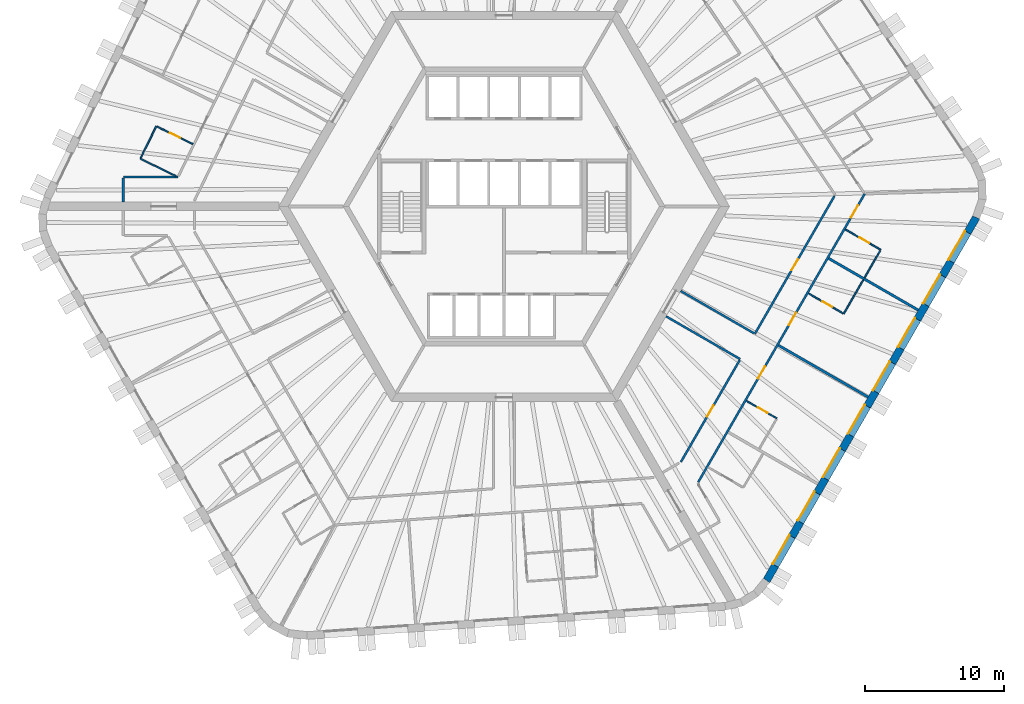
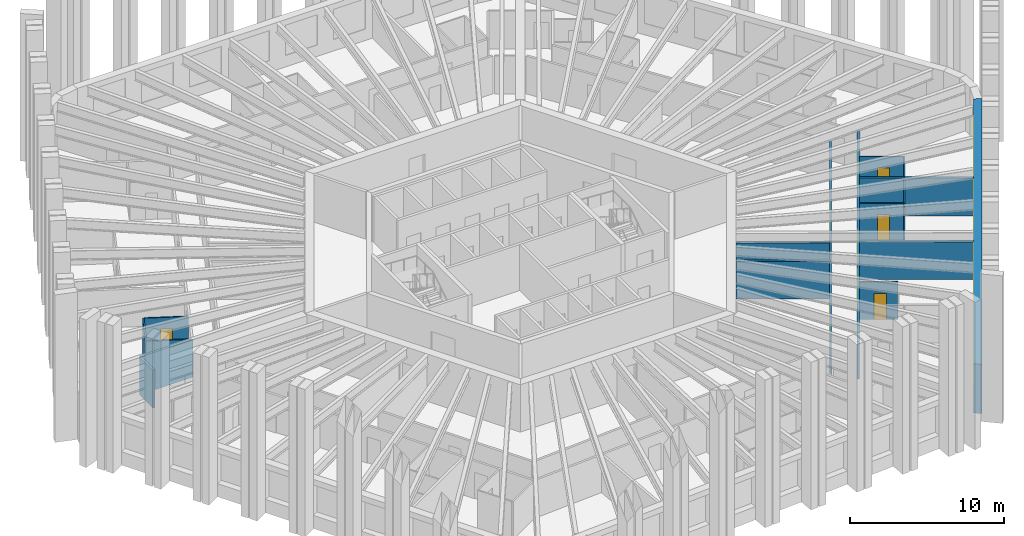
# One storey, part 6 of 12: 18 walls, 9 doors, 8 windows, 17 openings.
"""IFC4 building model written with IfcOpenShell, lengths in metres."""

from ifc_helpers import new_model, si_unit, direction, frame, frame_2d, origin, place, context, subcontext, project, spatial, polyline, rectangle, outline, extrude, material, layer, layer_set, type_object, element, fill, save


model = new_model("IFC4")

# Units and contexts
model_context = context("Model", 3, precision=1e-05, world=origin(), true_north=direction((0.0, 1.0)))
body_context = subcontext(model_context, "Body", "Model", "MODEL_VIEW")
ifc_project = project(units=[si_unit("LENGTHUNIT", "METRE"), si_unit("AREAUNIT", "SQUARE_METRE"), si_unit("VOLUMEUNIT", "CUBIC_METRE"), si_unit("PLANEANGLEUNIT", "RADIAN"), si_unit("MASSUNIT", "GRAM", prefix="KILO")], contexts=[model_context])

# Site, building, storey
site_placement = place(None, origin())
site = spatial("IfcSite", under=ifc_project, at=site_placement, CompositionType="ELEMENT")
building_placement = place(site_placement, origin())
building = spatial("IfcBuilding", under=site, at=building_placement, Name="Tarnside Tower", CompositionType="ELEMENT")
storey_placement = place(building_placement, frame((0.0, 0.0, 37.5)))
storey = spatial("IfcBuildingStorey", under=building, at=storey_placement, Name="L06", CompositionType="ELEMENT", Elevation=37.5)

# Walls
ifc_material_1 = material(Name="Gypsum board partition on steel studs", Category="steel")
ifc_layer_1 = layer(ifc_material_1, 0.10009765625)
ifc_layer_set_1 = layer_set([ifc_layer_1], Name="Bathroom wall 100")
wall_type_1 = type_object("IfcWallType", Name="Bathroom wall 100", PredefinedType="PARTITIONING", material=ifc_layer_set_1)
wall_1_placement = place(storey_placement, frame((-23.551025390625, 2.175048828125, 0.0), z_axis=(0.0, 0.0, 1.0), x_axis=(-0.89881903386, 0.438319910991, 0.0)))
element("IfcWall", 1, at=wall_1_placement, inside=storey, type_object=wall_type_1, Name="Bathroom wall 01097", PredefinedType="PARTITIONING", context=body_context, shape_type="SweptSolid", body=[
    extrude(rectangle(XDim=2.828857421875, YDim=0.10009765625, at=frame_2d((1.41455078125, 0.0))), origin(), (0.0, 0.0, 1.0), 2.98779296875),
])
wall_2_placement = place(storey_placement, frame((-26.07177734375, 3.4599609375, 0.0), z_axis=(0.0, 0.0, 1.0), x_axis=(0.438306676818, 0.898825487543, 0.0)))
element("IfcWall", 2, at=wall_2_placement, inside=storey, type_object=wall_type_1, Name="Bathroom wall 01098", PredefinedType="PARTITIONING", context=body_context, shape_type="SweptSolid", body=[
    extrude(rectangle(XDim=2.550048828125, YDim=0.10009765625, at=frame_2d((1.27490234375, 0.0))), origin(), (0.0, 0.0, 1.0), 2.98779296875),
])

# Wall, opening, door
wall_3_placement = place(storey_placement, frame((-24.908935546875, 5.72998046875, 0.0), z_axis=(0.0, 0.0, 1.0), x_axis=(0.898799457159, -0.438360052708, 0.0)))
wall_3 = element("IfcWall", 3, at=wall_3_placement, inside=storey, type_object=wall_type_1, Name="Bathroom wall 01099", PredefinedType="PARTITIONING", context=body_context, shape_type="SweptSolid", body=[
    extrude(rectangle(XDim=2.875, YDim=0.10009765625, at=frame_2d((1.4375, 0.0))), origin(), (0.0, 0.0, 1.0), 2.98779296875),
])
opening_1_placement = place(wall_3_placement, frame((1.050048828125, 0.0, 0.0)))
opening_1 = element("IfcOpeningElement", 4, at=opening_1_placement, cuts=wall_3, Name="Opening D-B1", PredefinedType="OPENING", context=body_context, shape_type="SweptSolid", body=[
    extrude(rectangle(XDim=0.800048828125, YDim=2.10009765625, at=frame_2d((0.39990234375, 1.050048828125))), frame((0.0, 0.06005859375, 0.0), z_axis=(0.0, -1.0, 0.0), x_axis=(1.0, 0.0, 0.0)), (0.0, 0.0, 1.0), 0.1201171875),
])
ifc_material_2 = material(Name="Timber door leaf", Category="wood")
door_type_1 = type_object("IfcDoorType", Name="Bathroom door 800", OperationType="NOTDEFINED", PredefinedType="DOOR", material=ifc_material_2)
door_1_placement = place(opening_1_placement, origin())
door_1 = element("IfcDoor", 5, at=door_1_placement, inside=storey, type_object=door_type_1, Name="Bathroom door 01012", OperationType="SINGLE_SWING_RIGHT", OverallHeight=2.10009765625, OverallWidth=0.800048828125, PredefinedType="DOOR", context=body_context, shape_type="SweptSolid", body=[
    extrude(rectangle(XDim=0.800048828125, YDim=2.10009765625, at=frame_2d((0.39990234375, 1.050048828125))), frame((0.0, 0.02490234375, 0.0), z_axis=(0.0, -1.0, 0.0), x_axis=(1.0, 0.0, 0.0)), (0.0, 0.0, 1.0), 0.050048828125),
])
fill(opening_1, door_1)

wall_4_placement = place(storey_placement, frame((17.379638671875, -13.947509765625, 0.0), z_axis=(0.0, 0.0, 1.0), x_axis=(0.866039067339, -0.499976333282, 0.0)))
wall_4 = element("IfcWall", 6, at=wall_4_placement, inside=storey, type_object=wall_type_1, Name="Bathroom wall 01132", PredefinedType="PARTITIONING", context=body_context, shape_type="SweptSolid", body=[
    extrude(rectangle(XDim=2.52490234375, YDim=0.10009765625, at=frame_2d((1.262451171875, 0.0))), origin(), (0.0, 0.0, 1.0), 2.98779296875),
])
opening_2_placement = place(wall_4_placement, frame((0.955078125, 0.0, 0.0)))
opening_2 = element("IfcOpeningElement", 7, at=opening_2_placement, cuts=wall_4, Name="Opening D-B1", PredefinedType="OPENING", context=body_context, shape_type="SweptSolid", body=[
    extrude(rectangle(XDim=0.800048828125, YDim=2.10009765625, at=frame_2d((0.39990234375, 1.050048828125))), frame((0.0, 0.06005859375, 0.0), z_axis=(0.0, -1.0, 0.0), x_axis=(1.0, 0.0, 0.0)), (0.0, 0.0, 1.0), 0.1201171875),
])
door_2_placement = place(opening_2_placement, origin())
door_2 = element("IfcDoor", 8, at=door_2_placement, inside=storey, type_object=door_type_1, Name="Bathroom door 01030", OperationType="SINGLE_SWING_LEFT", OverallHeight=2.10009765625, OverallWidth=0.800048828125, PredefinedType="DOOR", context=body_context, shape_type="SweptSolid", body=[
    extrude(rectangle(XDim=0.800048828125, YDim=2.10009765625, at=frame_2d((0.39990234375, 1.050048828125))), frame((0.0, 0.02490234375, 0.0), z_axis=(0.0, -1.0, 0.0), x_axis=(1.0, 0.0, 0.0)), (0.0, 0.0, 1.0), 0.050048828125),
])
fill(opening_2, door_2)

# Wall
wall_5_placement = place(storey_placement, frame((25.767822265625, -5.268798828125, 0.0), z_axis=(0.0, 0.0, 1.0), x_axis=(-0.499998209175, -0.866026437715, 0.0)))
element("IfcWall", 9, at=wall_5_placement, inside=storey, type_object=wall_type_1, Name="Bathroom wall 01135", PredefinedType="PARTITIONING", context=body_context, shape_type="SweptSolid", body=[
    extrude(rectangle(XDim=2.81005859375, YDim=0.10009765625, at=frame_2d((1.405029296875, 0.0))), origin(), (0.0, 0.0, 1.0), 2.98779296875),
])

# Wall, opening, door
wall_6_placement = place(storey_placement, frame((24.319580078125, -7.67724609375, 0.0), z_axis=(0.0, 0.0, 1.0), x_axis=(-0.866018712932, 0.500011588718, 0.0)))
wall_6 = element("IfcWall", 10, at=wall_6_placement, inside=storey, type_object=wall_type_1, Name="Bathroom wall 01136", PredefinedType="PARTITIONING", context=body_context, shape_type="SweptSolid", body=[
    extrude(rectangle(XDim=2.875, YDim=0.10009765625, at=frame_2d((1.4375, 0.0))), origin(), (0.0, 0.0, 1.0), 2.98779296875),
])
opening_3_placement = place(wall_6_placement, frame((0.89990234375, 0.0, 0.0)))
opening_3 = element("IfcOpeningElement", 11, at=opening_3_placement, cuts=wall_6, Name="Opening D-B1", PredefinedType="OPENING", context=body_context, shape_type="SweptSolid", body=[
    extrude(rectangle(XDim=0.800048828125, YDim=2.10009765625, at=frame_2d((0.39990234375, 1.050048828125))), frame((0.0, 0.06005859375, 0.0), z_axis=(0.0, -1.0, 0.0), x_axis=(1.0, 0.0, 0.0)), (0.0, 0.0, 1.0), 0.1201171875),
])
door_3_placement = place(opening_3_placement, origin())
door_3 = element("IfcDoor", 12, at=door_3_placement, inside=storey, type_object=door_type_1, Name="Bathroom door 01032", OperationType="SINGLE_SWING_RIGHT", OverallHeight=2.10009765625, OverallWidth=0.800048828125, PredefinedType="DOOR", context=body_context, shape_type="SweptSolid", body=[
    extrude(rectangle(XDim=0.800048828125, YDim=2.10009765625, at=frame_2d((0.39990234375, 1.050048828125))), frame((0.0, 0.02490234375, 0.0), z_axis=(0.0, -1.0, 0.0), x_axis=(1.0, 0.0, 0.0)), (0.0, 0.0, 1.0), 0.050048828125),
])
fill(opening_3, door_3)

wall_7_placement = place(storey_placement, frame((24.479736328125, -1.64990234375, 0.0), z_axis=(0.0, 0.0, 1.0), x_axis=(0.866046596414, -0.499963291492, 0.0)))
wall_7 = element("IfcWall", 13, at=wall_7_placement, inside=storey, type_object=wall_type_1, Name="Bathroom wall 01139", PredefinedType="PARTITIONING", context=body_context, shape_type="SweptSolid", body=[
    extrude(rectangle(XDim=2.925048828125, YDim=0.10009765625, at=frame_2d((1.46240234375, 0.0))), origin(), (0.0, 0.0, 1.0), 2.98779296875),
])
opening_4_placement = place(wall_7_placement, frame((1.175048828125, 0.0, 0.0)))
opening_4 = element("IfcOpeningElement", 14, at=opening_4_placement, cuts=wall_7, Name="Opening D-B1", PredefinedType="OPENING", context=body_context, shape_type="SweptSolid", body=[
    extrude(rectangle(XDim=0.800048828125, YDim=2.10009765625, at=frame_2d((0.39990234375, 1.050048828125))), frame((0.0, 0.06005859375, 0.0), z_axis=(0.0, -1.0, 0.0), x_axis=(1.0, 0.0, 0.0)), (0.0, 0.0, 1.0), 0.1201171875),
])
door_4_placement = place(opening_4_placement, origin())
door_4 = element("IfcDoor", 15, at=door_4_placement, inside=storey, type_object=door_type_1, Name="Bathroom door 01034", OperationType="SINGLE_SWING_LEFT", OverallHeight=2.10009765625, OverallWidth=0.800048828125, PredefinedType="DOOR", context=body_context, shape_type="SweptSolid", body=[
    extrude(rectangle(XDim=0.800048828125, YDim=2.10009765625, at=frame_2d((0.39990234375, 1.050048828125))), frame((0.0, 0.02490234375, 0.0), z_axis=(0.0, -1.0, 0.0), x_axis=(1.0, 0.0, 0.0)), (0.0, 0.0, 1.0), 0.050048828125),
])
fill(opening_4, door_4)

# Walls
wall_8_placement = place(storey_placement, frame((26.98779296875, -3.15576171875, 0.0), z_axis=(0.0, 0.0, 1.0), x_axis=(-0.4999967785, -0.866027263711, 0.0)))
element("IfcWall", 16, at=wall_8_placement, inside=storey, type_object=wall_type_1, Name="Bathroom wall 01140", PredefinedType="PARTITIONING", context=body_context, shape_type="SweptSolid", body=[
    extrude(rectangle(XDim=2.259765625, YDim=0.10009765625, at=frame_2d((1.1298828125, 0.0))), origin(), (0.0, 0.0, 1.0), 2.98779296875),
])
ifc_layer_2 = layer(ifc_material_1, 0.14990234375)
ifc_layer_set_2 = layer_set([ifc_layer_2], Name="Corridor wall 150 EI 60")
wall_type_2 = type_object("IfcWallType", Name="Corridor wall 150 EI 60", PredefinedType="PARTITIONING", material=ifc_layer_set_2)
wall_9_placement = place(storey_placement, frame((-23.3974609375, 2.10009765625, 0.0), z_axis=(0.0, 0.0, 1.0), x_axis=(-1.0, 0.0, 0.0)))
element("IfcWall", 17, at=wall_9_placement, inside=storey, type_object=wall_type_2, Name="Corridor wall 01012", PredefinedType="PARTITIONING", context=body_context, shape_type="SweptSolid", body=[
    extrude(rectangle(XDim=3.9228515625, YDim=0.14990234375, at=frame_2d((1.96142578125, 0.0))), origin(), (0.0, 0.0, 1.0), 2.98779296875),
])
wall_10_placement = place(storey_placement, frame((-27.3203125, 2.02490234375, 0.0), z_axis=(0.0, 0.0, 1.0), x_axis=(0.0, -1.0, 0.0)))
element("IfcWall", 18, at=wall_10_placement, inside=storey, type_object=wall_type_2, Name="Corridor wall 01013", PredefinedType="PARTITIONING", context=body_context, shape_type="SweptSolid", body=[
    extrude(rectangle(XDim=1.724853515625, YDim=0.14990234375, at=frame_2d((0.8623046875, 0.0))), origin(), (0.0, 0.0, 1.0), 2.98779296875),
])

# Wall, openings, doors
wall_11_placement = place(storey_placement, frame((13.928466796875, -19.77490234375, 0.0), z_axis=(0.0, 0.0, 1.0), x_axis=(0.50000450071, 0.866022805283, 0.0)))
wall_11 = element("IfcWall", 19, at=wall_11_placement, inside=storey, type_object=wall_type_2, Name="Corridor wall 01051", PredefinedType="PARTITIONING", context=body_context, shape_type="SweptSolid", body=[
    extrude(rectangle(XDim=23.877197265625, YDim=0.14990234375, at=frame_2d((11.9384765625, 0.0))), origin(), (0.0, 0.0, 1.0), 2.98779296875),
])
opening_5_placement = place(wall_11_placement, frame((8.572509765625, 0.0, 0.0)))
opening_5 = element("IfcOpeningElement", 20, at=opening_5_placement, cuts=wall_11, Name="Opening D-E1", PredefinedType="OPENING", context=body_context, shape_type="SweptSolid", body=[
    extrude(rectangle(XDim=1.0, YDim=2.10009765625, at=frame_2d((0.5, 1.050048828125))), frame((0.0, 0.0849609375, 0.0), z_axis=(0.0, -1.0, 0.0), x_axis=(1.0, 0.0, 0.0)), (0.0, 0.0, 1.0), 0.169921875),
])
opening_6_placement = place(wall_11_placement, frame((13.0224609375, 0.0, 0.0)))
opening_6 = element("IfcOpeningElement", 21, at=opening_6_placement, cuts=wall_11, Name="Opening D-E1", PredefinedType="OPENING", context=body_context, shape_type="SweptSolid", body=[
    extrude(rectangle(XDim=1.0, YDim=2.10009765625, at=frame_2d((0.5, 1.050048828125))), frame((0.0, 0.0849609375, 0.0), z_axis=(0.0, -1.0, 0.0), x_axis=(1.0, 0.0, 0.0)), (0.0, 0.0, 1.0), 0.169921875),
])
opening_7_placement = place(wall_11_placement, frame((21.9248046875, 0.0, 0.0)))
opening_7 = element("IfcOpeningElement", 22, at=opening_7_placement, cuts=wall_11, Name="Opening D-E1", PredefinedType="OPENING", context=body_context, shape_type="SweptSolid", body=[
    extrude(rectangle(XDim=1.0, YDim=2.10009765625, at=frame_2d((0.5, 1.050048828125))), frame((0.0, 0.0849609375, 0.0), z_axis=(0.0, -1.0, 0.0), x_axis=(1.0, 0.0, 0.0)), (0.0, 0.0, 1.0), 0.169921875),
])
door_type_2 = type_object("IfcDoorType", Name="Unit entrance door 1000 FD30S", OperationType="NOTDEFINED", PredefinedType="DOOR", material=ifc_material_2)
door_5_placement = place(opening_5_placement, origin())
door_5 = element("IfcDoor", 23, at=door_5_placement, inside=storey, type_object=door_type_2, Name="Unit door 01029", OperationType="SINGLE_SWING_LEFT", OverallHeight=2.10009765625, OverallWidth=1.0, PredefinedType="DOOR", context=body_context, shape_type="SweptSolid", body=[
    extrude(rectangle(XDim=1.0, YDim=2.10009765625, at=frame_2d((0.5, 1.050048828125))), frame((0.0, 0.02490234375, 0.0), z_axis=(0.0, -1.0, 0.0), x_axis=(1.0, 0.0, 0.0)), (0.0, 0.0, 1.0), 0.050048828125),
])
fill(opening_5, door_5)
door_6_placement = place(opening_6_placement, origin())
door_6 = element("IfcDoor", 24, at=door_6_placement, inside=storey, type_object=door_type_2, Name="Unit door 01031", OperationType="SINGLE_SWING_RIGHT", OverallHeight=2.10009765625, OverallWidth=1.0, PredefinedType="DOOR", context=body_context, shape_type="SweptSolid", body=[
    extrude(rectangle(XDim=1.0, YDim=2.10009765625, at=frame_2d((0.5, 1.050048828125))), frame((0.0, 0.02490234375, 0.0), z_axis=(0.0, -1.0, 0.0), x_axis=(1.0, 0.0, 0.0)), (0.0, 0.0, 1.0), 0.050048828125),
])
fill(opening_6, door_6)
door_7_placement = place(opening_7_placement, origin())
door_7 = element("IfcDoor", 25, at=door_7_placement, inside=storey, type_object=door_type_2, Name="Unit door 01033", OperationType="SINGLE_SWING_RIGHT", OverallHeight=2.10009765625, OverallWidth=1.0, PredefinedType="DOOR", context=body_context, shape_type="SweptSolid", body=[
    extrude(rectangle(XDim=1.0, YDim=2.10009765625, at=frame_2d((0.5, 1.050048828125))), frame((0.0, 0.02490234375, 0.0), z_axis=(0.0, -1.0, 0.0), x_axis=(1.0, 0.0, 0.0)), (0.0, 0.0, 1.0), 0.050048828125),
])
fill(opening_7, door_7)

# Wall, opening, door
wall_12_placement = place(storey_placement, frame((23.704345703125, 0.757080078125, 0.0), z_axis=(0.0, 0.0, 1.0), x_axis=(-0.500010297365, -0.866019458516, 0.0)))
wall_12 = element("IfcWall", 26, at=wall_12_placement, inside=storey, type_object=wall_type_2, Name="Corridor wall 01070", PredefinedType="PARTITIONING", context=body_context, shape_type="SweptSolid", body=[
    extrude(rectangle(XDim=11.428955078125, YDim=0.14990234375, at=frame_2d((5.71435546875, 0.0))), origin(), (0.0, 0.0, 1.0), 2.98779296875),
])
opening_8_placement = place(wall_12_placement, frame((5.264404296875, 0.0, 0.0)))
opening_8 = element("IfcOpeningElement", 27, at=opening_8_placement, cuts=wall_12, Name="Opening D-S1", PredefinedType="OPENING", context=body_context, shape_type="SweptSolid", body=[
    extrude(rectangle(XDim=0.89990234375, YDim=2.10009765625, at=frame_2d((0.449951171875, 1.050048828125))), frame((0.0, 0.0849609375, 0.0), z_axis=(0.0, -1.0, 0.0), x_axis=(1.0, 0.0, 0.0)), (0.0, 0.0, 1.0), 0.169921875),
])
door_type_3 = type_object("IfcDoorType", Name="Service room door 900 FD30S", OperationType="NOTDEFINED", PredefinedType="DOOR", material=ifc_material_2)
door_8_placement = place(opening_8_placement, origin())
door_8 = element("IfcDoor", 28, at=door_8_placement, inside=storey, type_object=door_type_3, Name="Service door 01048", OperationType="SINGLE_SWING_LEFT", OverallHeight=2.10009765625, OverallWidth=0.89990234375, PredefinedType="DOOR", context=body_context, shape_type="SweptSolid", body=[
    extrude(rectangle(XDim=0.89990234375, YDim=2.10009765625, at=frame_2d((0.449951171875, 1.050048828125))), frame((0.0, 0.02490234375, 0.0), z_axis=(0.0, -1.0, 0.0), x_axis=(1.0, 0.0, 0.0)), (0.0, 0.0, 1.0), 0.050048828125),
])
fill(opening_8, door_8)

# Walls
wall_13_placement = place(storey_placement, frame((17.9248046875, -9.103271484375, 0.0), z_axis=(0.0, 0.0, 1.0), x_axis=(-0.866013586754, 0.500020467139, 0.0)))
element("IfcWall", 29, at=wall_13_placement, inside=storey, type_object=wall_type_2, Name="Corridor wall 01071", PredefinedType="PARTITIONING", context=body_context, shape_type="SweptSolid", body=[
    extrude(rectangle(XDim=6.074951171875, YDim=0.14990234375, at=frame_2d((3.03759765625, 0.0))), origin(), (0.0, 0.0, 1.0), 2.98779296875),
])
wall_14_placement = place(storey_placement, frame((11.61376953125, -7.88427734375, 0.0), z_axis=(0.0, 0.0, 1.0), x_axis=(0.866033542371, -0.499985903289, 0.0)))
element("IfcWall", 30, at=wall_14_placement, inside=storey, type_object=wall_type_2, Name="Corridor wall 01072", PredefinedType="PARTITIONING", context=body_context, shape_type="SweptSolid", body=[
    extrude(rectangle(XDim=6.150146484375, YDim=0.14990234375, at=frame_2d((3.0751953125, 0.0))), origin(), (0.0, 0.0, 1.0), 2.98779296875),
])

# Wall, opening, door
wall_15_placement = place(storey_placement, frame((16.90234375, -11.024169921875, 0.0), z_axis=(0.0, 0.0, 1.0), x_axis=(-0.499999527968, -0.866025676312, 0.0)))
wall_15 = element("IfcWall", 31, at=wall_15_placement, inside=storey, type_object=wall_type_2, Name="Corridor wall 01073", PredefinedType="PARTITIONING", context=body_context, shape_type="SweptSolid", body=[
    extrude(rectangle(XDim=8.44091796875, YDim=0.14990234375, at=frame_2d((4.220458984375, 0.0))), origin(), (0.0, 0.0, 1.0), 2.98779296875),
])
opening_9_placement = place(wall_15_placement, frame((3.7705078125, 0.0, 0.0)))
opening_9 = element("IfcOpeningElement", 32, at=opening_9_placement, cuts=wall_15, Name="Opening D-S1", PredefinedType="OPENING", context=body_context, shape_type="SweptSolid", body=[
    extrude(rectangle(XDim=0.89990234375, YDim=2.10009765625, at=frame_2d((0.449951171875, 1.050048828125))), frame((0.0, 0.0849609375, 0.0), z_axis=(0.0, -1.0, 0.0), x_axis=(1.0, 0.0, 0.0)), (0.0, 0.0, 1.0), 0.169921875),
])
door_9_placement = place(opening_9_placement, origin())
door_9 = element("IfcDoor", 33, at=door_9_placement, inside=storey, type_object=door_type_3, Name="Service door 01049", OperationType="SINGLE_SWING_RIGHT", OverallHeight=2.10009765625, OverallWidth=0.89990234375, PredefinedType="DOOR", context=body_context, shape_type="SweptSolid", body=[
    extrude(rectangle(XDim=0.89990234375, YDim=2.10009765625, at=frame_2d((0.449951171875, 1.050048828125))), frame((0.0, 0.02490234375, 0.0), z_axis=(0.0, -1.0, 0.0), x_axis=(1.0, 0.0, 0.0)), (0.0, 0.0, 1.0), 0.050048828125),
])
fill(opening_9, door_9)

# Walls
ifc_layer_3 = layer(ifc_material_1, 0.179931640625)
ifc_layer_set_3 = layer_set([ifc_layer_3], Name="Demising wall 180 EI 60")
wall_type_3 = type_object("IfcWallType", Name="Demising wall 180 EI 60", PredefinedType="PARTITIONING", material=ifc_layer_set_3)
for number, where, z_axis, x_axis, name in (
    (34, (26.10986328125, -13.67626953125, 0.0), (0.0, 0.0, 1.0), (-0.866014745021, 0.500018461065, 0.0), "Demising wall 01134"),
    (35, (29.7099609375, -7.44091796875, 0.0), (0.0, 0.0, 1.0), (-0.866014745021, 0.500018461065, 0.0), "Demising wall 01137"),
):
    element("IfcWall", number, at=place(storey_placement, frame(where, z_axis=z_axis, x_axis=x_axis)), inside=storey, type_object=wall_type_3, Name=name, PredefinedType="PARTITIONING", context=body_context, shape_type="SweptSolid", body=[
        extrude(rectangle(XDim=7.425048828125, YDim=0.179931640625, at=frame_2d((3.71240234375, 0.0))), origin(), (0.0, 0.0, 1.0), 2.98779296875),
    ])

# Wall, openings, windows
ifc_material_3 = material(Name="Facing brick", Category="masonry")
ifc_layer_4 = layer(ifc_material_3, 0.10205078125)
ifc_material_4 = material(Name="Concrete C60/75 precast", Category="concrete")
ifc_layer_5 = layer(ifc_material_4, 0.347900390625)
ifc_material_5 = material(Name="Mineral wool insulation")
ifc_layer_6 = layer(ifc_material_5, 0.10009765625)
ifc_layer_set_4 = layer_set([ifc_layer_4, ifc_layer_5, ifc_layer_6], Name="Tube wall 550 brick faced")
wall_type_4 = type_object("IfcWallType", Name="Tube wall 550 brick faced", PredefinedType="SOLIDWALL", material=ifc_layer_set_4)
wall_16_placement = place(storey_placement, frame((18.830322265625, -26.834716796875, -0.14990234375), z_axis=(0.0, 0.0, 1.0), x_axis=(0.500003800416, 0.866023209602, 0.0)))
wall_16 = element("IfcWall", 36, at=wall_16_placement, inside=storey, type_object=wall_type_4, Name="Tube wall L06 F5 flush 16", PredefinedType="SOLIDWALL", context=body_context, shape_type="SweptSolid", body=[
    extrude(outline(polyline([(-0.0224609375, -0.27490234375), (30.0966796875, -0.27490234375), (30.04541015625, 0.27490234375), (0.0224609375, 0.27490234375), (-0.0224609375, -0.27490234375)])), origin(), (0.0, 0.0, 1.0), 3.89990234375),
])
opening_10_placement = place(wall_16_placement, frame((1.235595703125, 0.0, 1.050048828125)))
opening_10 = element("IfcOpeningElement", 37, at=opening_10_placement, cuts=wall_16, Name="Opening WH", PredefinedType="OPENING", context=body_context, shape_type="SweptSolid", body=[
    extrude(rectangle(XDim=2.39990234375, YDim=2.39990234375, at=frame_2d((1.199951171875, 1.199951171875))), frame((0.0, 0.28515625, 0.0), z_axis=(0.0, -1.0, 0.0), x_axis=(1.0, 0.0, 0.0)), (0.0, 0.0, 1.0), 0.570068359375),
])
opening_11_placement = place(wall_16_placement, frame((4.83544921875, 0.0, 1.050048828125)))
opening_11 = element("IfcOpeningElement", 38, at=opening_11_placement, cuts=wall_16, Name="Opening WH", PredefinedType="OPENING", context=body_context, shape_type="SweptSolid", body=[
    extrude(rectangle(XDim=2.39990234375, YDim=2.39990234375, at=frame_2d((1.199951171875, 1.199951171875))), frame((0.0, 0.28515625, 0.0), z_axis=(0.0, -1.0, 0.0), x_axis=(1.0, 0.0, 0.0)), (0.0, 0.0, 1.0), 0.570068359375),
])
opening_12_placement = place(wall_16_placement, frame((8.435546875, 0.0, 1.050048828125)))
opening_12 = element("IfcOpeningElement", 39, at=opening_12_placement, cuts=wall_16, Name="Opening WH", PredefinedType="OPENING", context=body_context, shape_type="SweptSolid", body=[
    extrude(rectangle(XDim=2.39990234375, YDim=2.39990234375, at=frame_2d((1.199951171875, 1.199951171875))), frame((0.0, 0.28515625, 0.0), z_axis=(0.0, -1.0, 0.0), x_axis=(1.0, 0.0, 0.0)), (0.0, 0.0, 1.0), 0.570068359375),
])
opening_13_placement = place(wall_16_placement, frame((12.035400390625, 0.0, 1.050048828125)))
opening_13 = element("IfcOpeningElement", 40, at=opening_13_placement, cuts=wall_16, Name="Opening WH", PredefinedType="OPENING", context=body_context, shape_type="SweptSolid", body=[
    extrude(rectangle(XDim=2.39990234375, YDim=2.39990234375, at=frame_2d((1.199951171875, 1.199951171875))), frame((0.0, 0.28515625, 0.0), z_axis=(0.0, -1.0, 0.0), x_axis=(1.0, 0.0, 0.0)), (0.0, 0.0, 1.0), 0.570068359375),
])
opening_14_placement = place(wall_16_placement, frame((15.635498046875, 0.0, 1.050048828125)))
opening_14 = element("IfcOpeningElement", 41, at=opening_14_placement, cuts=wall_16, Name="Opening WH", PredefinedType="OPENING", context=body_context, shape_type="SweptSolid", body=[
    extrude(rectangle(XDim=2.39990234375, YDim=2.39990234375, at=frame_2d((1.199951171875, 1.199951171875))), frame((0.0, 0.28515625, 0.0), z_axis=(0.0, -1.0, 0.0), x_axis=(1.0, 0.0, 0.0)), (0.0, 0.0, 1.0), 0.570068359375),
])
opening_15_placement = place(wall_16_placement, frame((19.235595703125, 0.0, 1.050048828125)))
opening_15 = element("IfcOpeningElement", 42, at=opening_15_placement, cuts=wall_16, Name="Opening WH", PredefinedType="OPENING", context=body_context, shape_type="SweptSolid", body=[
    extrude(rectangle(XDim=2.39990234375, YDim=2.39990234375, at=frame_2d((1.199951171875, 1.199951171875))), frame((0.0, 0.28515625, 0.0), z_axis=(0.0, -1.0, 0.0), x_axis=(1.0, 0.0, 0.0)), (0.0, 0.0, 1.0), 0.570068359375),
])
opening_16_placement = place(wall_16_placement, frame((22.83544921875, 0.0, 1.050048828125)))
opening_16 = element("IfcOpeningElement", 43, at=opening_16_placement, cuts=wall_16, Name="Opening WH", PredefinedType="OPENING", context=body_context, shape_type="SweptSolid", body=[
    extrude(rectangle(XDim=2.39990234375, YDim=2.39990234375, at=frame_2d((1.199951171875, 1.199951171875))), frame((0.0, 0.28515625, 0.0), z_axis=(0.0, -1.0, 0.0), x_axis=(1.0, 0.0, 0.0)), (0.0, 0.0, 1.0), 0.570068359375),
])
opening_17_placement = place(wall_16_placement, frame((26.435546875, 0.0, 1.050048828125)))
opening_17 = element("IfcOpeningElement", 44, at=opening_17_placement, cuts=wall_16, Name="Opening WH", PredefinedType="OPENING", context=body_context, shape_type="SweptSolid", body=[
    extrude(rectangle(XDim=2.39990234375, YDim=2.39990234375, at=frame_2d((1.199951171875, 1.199951171875))), frame((0.0, 0.28515625, 0.0), z_axis=(0.0, -1.0, 0.0), x_axis=(1.0, 0.0, 0.0)), (0.0, 0.0, 1.0), 0.570068359375),
])
ifc_material_6 = material(Name="Aluminium-framed double glazing", Category="aluminium")
window_type = type_object("IfcWindowType", Name="Hotel window 2400 x 2400", PartitioningType="DOUBLE_PANEL_VERTICAL", PredefinedType="WINDOW", material=ifc_material_6)
window_1_placement = place(opening_10_placement, frame((0.0, 0.205078125, 0.0)))
window_1 = element("IfcWindow", 45, at=window_1_placement, inside=storey, type_object=window_type, Name="E.WN.L06.F5.00", OverallHeight=2.39990234375, OverallWidth=2.39990234375, PartitioningType="DOUBLE_PANEL_VERTICAL", PredefinedType="WINDOW", context=body_context, shape_type="SweptSolid", body=[
    extrude(rectangle(XDim=2.39990234375, YDim=2.39990234375, at=frame_2d((1.199951171875, 1.199951171875))), frame((0.0, 0.030029296875, 0.0), z_axis=(0.0, -1.0, 0.0), x_axis=(1.0, 0.0, 0.0)), (0.0, 0.0, 1.0), 0.06005859375),
])
fill(opening_10, window_1)
window_2_placement = place(opening_11_placement, frame((0.0, 0.205078125, 0.0)))
window_2 = element("IfcWindow", 46, at=window_2_placement, inside=storey, type_object=window_type, Name="E.WN.L06.F5.01", OverallHeight=2.39990234375, OverallWidth=2.39990234375, PartitioningType="DOUBLE_PANEL_VERTICAL", PredefinedType="WINDOW", context=body_context, shape_type="SweptSolid", body=[
    extrude(rectangle(XDim=2.39990234375, YDim=2.39990234375, at=frame_2d((1.199951171875, 1.199951171875))), frame((0.0, 0.030029296875, 0.0), z_axis=(0.0, -1.0, 0.0), x_axis=(1.0, 0.0, 0.0)), (0.0, 0.0, 1.0), 0.06005859375),
])
fill(opening_11, window_2)
window_3_placement = place(opening_12_placement, frame((0.0, 0.205078125, 0.0)))
window_3 = element("IfcWindow", 47, at=window_3_placement, inside=storey, type_object=window_type, Name="E.WN.L06.F5.02", OverallHeight=2.39990234375, OverallWidth=2.39990234375, PartitioningType="DOUBLE_PANEL_VERTICAL", PredefinedType="WINDOW", context=body_context, shape_type="SweptSolid", body=[
    extrude(rectangle(XDim=2.39990234375, YDim=2.39990234375, at=frame_2d((1.199951171875, 1.199951171875))), frame((0.0, 0.030029296875, 0.0), z_axis=(0.0, -1.0, 0.0), x_axis=(1.0, 0.0, 0.0)), (0.0, 0.0, 1.0), 0.06005859375),
])
fill(opening_12, window_3)
window_4_placement = place(opening_13_placement, frame((0.0, 0.205078125, 0.0)))
window_4 = element("IfcWindow", 48, at=window_4_placement, inside=storey, type_object=window_type, Name="E.WN.L06.F5.03", OverallHeight=2.39990234375, OverallWidth=2.39990234375, PartitioningType="DOUBLE_PANEL_VERTICAL", PredefinedType="WINDOW", context=body_context, shape_type="SweptSolid", body=[
    extrude(rectangle(XDim=2.39990234375, YDim=2.39990234375, at=frame_2d((1.199951171875, 1.199951171875))), frame((0.0, 0.030029296875, 0.0), z_axis=(0.0, -1.0, 0.0), x_axis=(1.0, 0.0, 0.0)), (0.0, 0.0, 1.0), 0.06005859375),
])
fill(opening_13, window_4)
window_5_placement = place(opening_14_placement, frame((0.0, 0.205078125, 0.0)))
window_5 = element("IfcWindow", 49, at=window_5_placement, inside=storey, type_object=window_type, Name="E.WN.L06.F5.04", OverallHeight=2.39990234375, OverallWidth=2.39990234375, PartitioningType="DOUBLE_PANEL_VERTICAL", PredefinedType="WINDOW", context=body_context, shape_type="SweptSolid", body=[
    extrude(rectangle(XDim=2.39990234375, YDim=2.39990234375, at=frame_2d((1.199951171875, 1.199951171875))), frame((0.0, 0.030029296875, 0.0), z_axis=(0.0, -1.0, 0.0), x_axis=(1.0, 0.0, 0.0)), (0.0, 0.0, 1.0), 0.06005859375),
])
fill(opening_14, window_5)
window_6_placement = place(opening_15_placement, frame((0.0, 0.205078125, 0.0)))
window_6 = element("IfcWindow", 50, at=window_6_placement, inside=storey, type_object=window_type, Name="E.WN.L06.F5.05", OverallHeight=2.39990234375, OverallWidth=2.39990234375, PartitioningType="DOUBLE_PANEL_VERTICAL", PredefinedType="WINDOW", context=body_context, shape_type="SweptSolid", body=[
    extrude(rectangle(XDim=2.39990234375, YDim=2.39990234375, at=frame_2d((1.199951171875, 1.199951171875))), frame((0.0, 0.030029296875, 0.0), z_axis=(0.0, -1.0, 0.0), x_axis=(1.0, 0.0, 0.0)), (0.0, 0.0, 1.0), 0.06005859375),
])
fill(opening_15, window_6)
window_7_placement = place(opening_16_placement, frame((0.0, 0.205078125, 0.0)))
window_7 = element("IfcWindow", 51, at=window_7_placement, inside=storey, type_object=window_type, Name="E.WN.L06.F5.06", OverallHeight=2.39990234375, OverallWidth=2.39990234375, PartitioningType="DOUBLE_PANEL_VERTICAL", PredefinedType="WINDOW", context=body_context, shape_type="SweptSolid", body=[
    extrude(rectangle(XDim=2.39990234375, YDim=2.39990234375, at=frame_2d((1.199951171875, 1.199951171875))), frame((0.0, 0.030029296875, 0.0), z_axis=(0.0, -1.0, 0.0), x_axis=(1.0, 0.0, 0.0)), (0.0, 0.0, 1.0), 0.06005859375),
])
fill(opening_16, window_7)
window_8_placement = place(opening_17_placement, frame((0.0, 0.205078125, 0.0)))
window_8 = element("IfcWindow", 52, at=window_8_placement, inside=storey, type_object=window_type, Name="E.WN.L06.F5.07", OverallHeight=2.39990234375, OverallWidth=2.39990234375, PartitioningType="DOUBLE_PANEL_VERTICAL", PredefinedType="WINDOW", context=body_context, shape_type="SweptSolid", body=[
    extrude(rectangle(XDim=2.39990234375, YDim=2.39990234375, at=frame_2d((1.199951171875, 1.199951171875))), frame((0.0, 0.030029296875, 0.0), z_axis=(0.0, -1.0, 0.0), x_axis=(1.0, 0.0, 0.0)), (0.0, 0.0, 1.0), 0.06005859375),
])
fill(opening_17, window_8)

save(model, "model.ifc")
